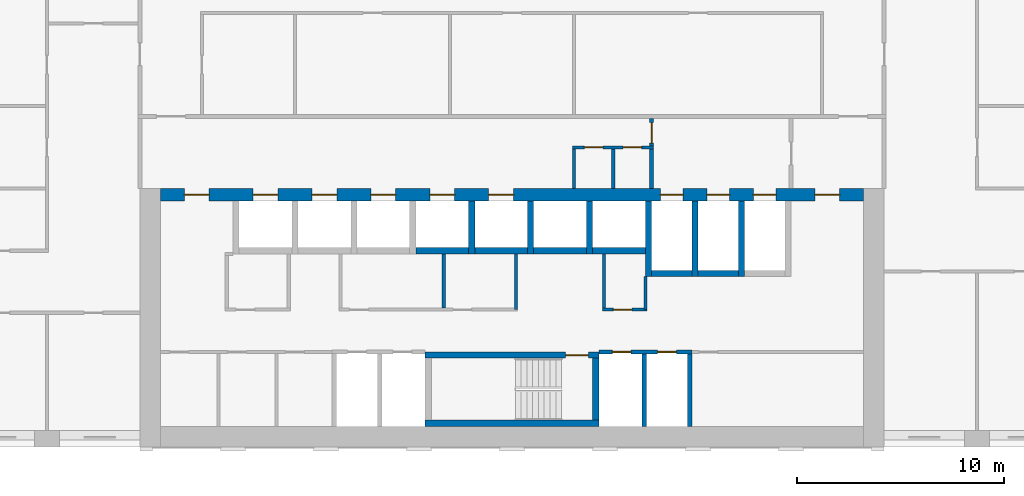
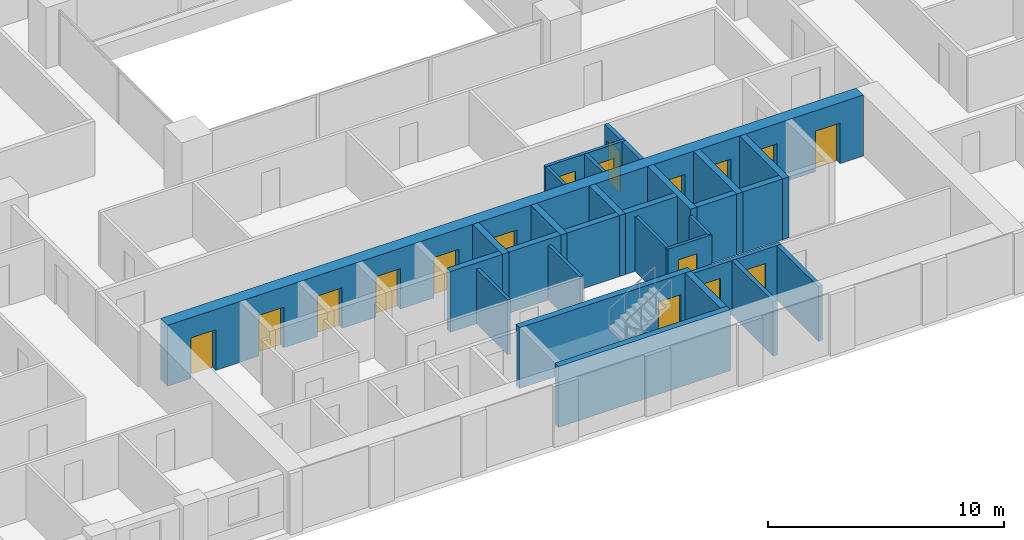
# One storey, part 11 of 20: 29 walls, 17 doors, 17 openings.
"""IFC4 building model written with IfcOpenShell, lengths in metres."""

from ifc_helpers import new_model, si_unit, direction, frame, frame_2d, origin, place, context, subcontext, project, spatial, rectangle, extrude, material, layer, layer_set, type_object, element, fill, save


model = new_model("IFC4")

# Units and contexts
model_context = context("Model", 3, precision=1e-05, world=origin(), true_north=direction((0.0, 1.0)))
body_context = subcontext(model_context, "Body", "Model", "MODEL_VIEW")
ifc_project = project(units=[si_unit("LENGTHUNIT", "METRE"), si_unit("AREAUNIT", "SQUARE_METRE"), si_unit("VOLUMEUNIT", "CUBIC_METRE"), si_unit("PLANEANGLEUNIT", "RADIAN"), si_unit("MASSUNIT", "GRAM", prefix="KILO")], contexts=[model_context])

# Site, building, storey
site_placement = place(None, origin())
site = spatial("IfcSite", under=ifc_project, at=site_placement, CompositionType="ELEMENT")
building_placement = place(site_placement, origin())
building = spatial("IfcBuilding", under=site, at=building_placement, Name="Brigalow Station Residences", CompositionType="ELEMENT")
storey_placement = place(building_placement, frame((0.0, 0.0, 57.300048828125)))
storey = spatial("IfcBuildingStorey", under=building, at=storey_placement, Name="L16", CompositionType="ELEMENT", Elevation=57.300048828125)

# Walls
ifc_material_1 = material(Name="Concrete C80", Category="concrete")
ifc_layer_1 = layer(ifc_material_1, 0.300048828125)
ifc_layer_set_1 = layer_set([ifc_layer_1], Name="CORE SHEAR WALL 300 C80")
wall_type_1 = type_object("IfcWallType", Name="CORE SHEAR WALL 300 C80", PredefinedType="SHEAR", material=ifc_layer_set_1)
wall_1_placement = place(storey_placement, frame((31.35009765625, 9.5, 0.0), z_axis=(0.0, 0.0, 1.0), x_axis=(1.0, 0.0, 0.0)))
element("IfcWall", 1, at=wall_1_placement, inside=storey, type_object=wall_type_1, Name="CORE WALL SH-P4-S L16", PredefinedType="SHEAR", context=body_context, shape_type="SweptSolid", body=[
    extrude(rectangle(XDim=2.5498046875, YDim=0.300048828125, at=frame_2d((1.27490234375, 0.0))), origin(), (0.0, 0.0, 1.0), 3.14990234375),
])
wall_2_placement = place(storey_placement, frame((34.199951171875, 9.5, 0.0), z_axis=(0.0, 0.0, 1.0), x_axis=(1.0, 0.0, 0.0)))
element("IfcWall", 2, at=wall_2_placement, inside=storey, type_object=wall_type_1, Name="CORE WALL SH-P5-S L16", PredefinedType="SHEAR", context=body_context, shape_type="SweptSolid", body=[
    extrude(rectangle(XDim=2.550048828125, YDim=0.300048828125, at=frame_2d((1.27490234375, 0.0))), origin(), (0.0, 0.0, 1.0), 3.14990234375),
])
wall_3_placement = place(storey_placement, frame((34.050048828125, 9.35009765625, 0.0), z_axis=(0.0, 0.0, 1.0), x_axis=(0.0, 1.0, 0.0)))
element("IfcWall", 3, at=wall_3_placement, inside=storey, type_object=wall_type_1, Name="CORE WALL SH-P5-W L16", PredefinedType="SHEAR", context=body_context, shape_type="SweptSolid", body=[
    extrude(rectangle(XDim=2.5498046875, YDim=0.300048828125, at=frame_2d((1.27490234375, 0.0))), origin(), (0.0, 0.0, 1.0), 3.14990234375),
])
wall_4_placement = place(storey_placement, frame((37.050048828125, 9.5, 0.0), z_axis=(0.0, 0.0, 1.0), x_axis=(1.0, 0.0, 0.0)))
element("IfcWall", 4, at=wall_4_placement, inside=storey, type_object=wall_type_1, Name="CORE WALL SH-X1-S L16", PredefinedType="SHEAR", context=body_context, shape_type="SweptSolid", body=[
    extrude(rectangle(XDim=2.550048828125, YDim=0.300048828125, at=frame_2d((1.27490234375, 0.0))), origin(), (0.0, 0.0, 1.0), 3.14990234375),
])
wall_5_placement = place(storey_placement, frame((36.89990234375, 9.35009765625, 0.0), z_axis=(0.0, 0.0, 1.0), x_axis=(0.0, 1.0, 0.0)))
element("IfcWall", 5, at=wall_5_placement, inside=storey, type_object=wall_type_1, Name="CORE WALL SH-X1-W L16", PredefinedType="SHEAR", context=body_context, shape_type="SweptSolid", body=[
    extrude(rectangle(XDim=2.5498046875, YDim=0.300048828125, at=frame_2d((1.27490234375, 0.0))), origin(), (0.0, 0.0, 1.0), 3.14990234375),
])
wall_6_placement = place(storey_placement, frame((39.89990234375, 9.5, 0.0), z_axis=(0.0, 0.0, 1.0), x_axis=(1.0, 0.0, 0.0)))
element("IfcWall", 6, at=wall_6_placement, inside=storey, type_object=wall_type_1, Name="CORE WALL SH-X2-S L16", PredefinedType="SHEAR", context=body_context, shape_type="SweptSolid", body=[
    extrude(rectangle(XDim=2.550048828125, YDim=0.300048828125, at=frame_2d((1.27490234375, 0.0))), origin(), (0.0, 0.0, 1.0), 3.14990234375),
])
wall_7_placement = place(storey_placement, frame((39.75, 9.35009765625, 0.0), z_axis=(0.0, 0.0, 1.0), x_axis=(0.0, 1.0, 0.0)))
element("IfcWall", 7, at=wall_7_placement, inside=storey, type_object=wall_type_1, Name="CORE WALL SH-X2-W L16", PredefinedType="SHEAR", context=body_context, shape_type="SweptSolid", body=[
    extrude(rectangle(XDim=2.5498046875, YDim=0.300048828125, at=frame_2d((1.27490234375, 0.0))), origin(), (0.0, 0.0, 1.0), 3.14990234375),
])
wall_8_placement = place(storey_placement, frame((42.75, 8.39990234375, 0.0), z_axis=(0.0, 0.0, 1.0), x_axis=(1.0, 0.0, 0.0)))
element("IfcWall", 8, at=wall_8_placement, inside=storey, type_object=wall_type_1, Name="CORE WALL SH-FF1-S L16", PredefinedType="SHEAR", context=body_context, shape_type="SweptSolid", body=[
    extrude(rectangle(XDim=1.949951171875, YDim=0.300048828125, at=frame_2d((0.97509765625, 0.0))), origin(), (0.0, 0.0, 1.0), 3.14990234375),
])
wall_9_placement = place(storey_placement, frame((42.60009765625, 8.25, 0.0), z_axis=(0.0, 0.0, 1.0), x_axis=(0.0, 1.0, 0.0)))
element("IfcWall", 9, at=wall_9_placement, inside=storey, type_object=wall_type_1, Name="CORE WALL SH-FF1-W L16", PredefinedType="SHEAR", context=body_context, shape_type="SweptSolid", body=[
    extrude(rectangle(XDim=3.64990234375, YDim=0.300048828125, at=frame_2d((1.824951171875, 0.0))), origin(), (0.0, 0.0, 1.0), 3.14990234375),
])
wall_10_placement = place(storey_placement, frame((45.0, 8.39990234375, 0.0), z_axis=(0.0, 0.0, 1.0), x_axis=(1.0, 0.0, 0.0)))
element("IfcWall", 10, at=wall_10_placement, inside=storey, type_object=wall_type_1, Name="CORE WALL SH-FF2-S L16", PredefinedType="SHEAR", context=body_context, shape_type="SweptSolid", body=[
    extrude(rectangle(XDim=1.949951171875, YDim=0.300048828125, at=frame_2d((0.97509765625, 0.0))), origin(), (0.0, 0.0, 1.0), 3.14990234375),
])
for number, where, z_axis, x_axis, name in (
    (11, (44.85009765625, 8.25, 0.0), (0.0, 0.0, 1.0), (0.0, 1.0, 0.0), "CORE WALL SH-FF2-W L16"),
    (12, (47.10009765625, 8.25, 0.0), (0.0, 0.0, 1.0), (0.0, 1.0, 0.0), "CORE WALL SH-SL1-W L16"),
):
    element("IfcWall", number, at=place(storey_placement, frame(where, z_axis=z_axis, x_axis=x_axis)), inside=storey, type_object=wall_type_1, Name=name, PredefinedType="SHEAR", context=body_context, shape_type="SweptSolid", body=[
        extrude(rectangle(XDim=3.64990234375, YDim=0.300048828125, at=frame_2d((1.824951171875, 0.0))), origin(), (0.0, 0.0, 1.0), 3.14990234375),
    ])
wall_11_placement = place(storey_placement, frame((31.800048828125, 1.14990234375, 0.0), z_axis=(0.0, 0.0, 1.0), x_axis=(1.0, 0.0, 0.0)))
element("IfcWall", 13, at=wall_11_placement, inside=storey, type_object=wall_type_1, Name="CORE WALL ST-S2-S L16", PredefinedType="SHEAR", context=body_context, shape_type="SweptSolid", body=[
    extrude(rectangle(XDim=8.39990234375, YDim=0.300048828125, at=frame_2d((4.199951171875, 0.0))), origin(), (0.0, 0.0, 1.0), 3.14990234375),
])

# Wall, opening, door
wall_12_placement = place(storey_placement, frame((31.800048828125, 4.449951171875, 0.0), z_axis=(0.0, 0.0, 1.0), x_axis=(1.0, 0.0, 0.0)))
wall_12 = element("IfcWall", 14, at=wall_12_placement, inside=storey, type_object=wall_type_1, Name="CORE WALL ST-S2-N L16", PredefinedType="SHEAR", context=body_context, shape_type="SweptSolid", body=[
    extrude(rectangle(XDim=8.39990234375, YDim=0.300048828125, at=frame_2d((4.199951171875, 0.0))), origin(), (0.0, 0.0, 1.0), 3.14990234375),
])
opening_1_placement = place(wall_12_placement, frame((6.800048828125, 0.0, 0.0)))
opening_1 = element("IfcOpeningElement", 15, at=opening_1_placement, cuts=wall_12, Name="Opening D-5001", PredefinedType="OPENING", context=body_context, shape_type="SweptSolid", body=[
    extrude(rectangle(XDim=1.10009765625, YDim=2.10009765625, at=frame_2d((0.550048828125, 1.050048828125))), frame((0.0, 0.16015625, 0.0), z_axis=(0.0, -1.0, 0.0), x_axis=(1.0, 0.0, 0.0)), (0.0, 0.0, 1.0), 0.320068359375),
])
ifc_material_2 = material(Name="Steel fire door leaf in steel frame", Category="steel")
door_type_1 = type_object("IfcDoorType", Name="STAIR DOOR 1100 x 2100 FD60S", OperationType="SINGLE_SWING_LEFT", PredefinedType="DOOR", material=ifc_material_2)
door_1_placement = place(opening_1_placement, frame((1.10009765625, 0.0, 0.0), z_axis=(0.0, 0.0, 1.0), x_axis=(-1.0, 0.0, 0.0)))
door_1 = element("IfcDoor", 16, at=door_1_placement, inside=storey, type_object=door_type_1, Name="D-5001", OperationType="SINGLE_SWING_LEFT", OverallHeight=2.10009765625, OverallWidth=1.10009765625, PredefinedType="DOOR", context=body_context, shape_type="SweptSolid", body=[
    extrude(rectangle(XDim=1.10009765625, YDim=2.10009765625, at=frame_2d((0.550048828125, 1.050048828125))), frame((0.0, 0.02490234375, 0.0), z_axis=(0.0, -1.0, 0.0), x_axis=(1.0, 0.0, 0.0)), (0.0, 0.0, 1.0), 0.050048828125),
])
fill(opening_1, door_1)

# Wall
wall_13_placement = place(storey_placement, frame((40.050048828125, 1.300048828125, 0.0), z_axis=(0.0, 0.0, 1.0), x_axis=(0.0, 1.0, 0.0)))
element("IfcWall", 17, at=wall_13_placement, inside=storey, type_object=wall_type_1, Name="CORE WALL ST-S2-E L16", PredefinedType="SHEAR", context=body_context, shape_type="SweptSolid", body=[
    extrude(rectangle(XDim=3.0, YDim=0.300048828125, at=frame_2d((1.5, 0.0))), origin(), (0.0, 0.0, 1.0), 3.14990234375),
])

# Wall, openings, doors
ifc_material_3 = material(Name="Concrete C80", Category="concrete")
ifc_layer_2 = layer(ifc_material_3, 0.60009765625)
ifc_layer_set_2 = layer_set([ifc_layer_2], Name="CORE SHEAR WALL 600 C80")
wall_type_2 = type_object("IfcWallType", Name="CORE SHEAR WALL 600 C80", PredefinedType="SHEAR", material=ifc_layer_set_2)
wall_14_placement = place(storey_placement, frame((19.0, 12.199951171875, 0.0), z_axis=(0.0, 0.0, 1.0), x_axis=(1.0, 0.0, 0.0)))
wall_14 = element("IfcWall", 18, at=wall_14_placement, inside=storey, type_object=wall_type_2, Name="CORE WALL OUT-N L16", PredefinedType="SHEAR", context=body_context, shape_type="SweptSolid", body=[
    extrude(rectangle(XDim=34.0, YDim=0.60009765625, at=frame_2d((17.0, 0.0))), origin(), (0.0, 0.0, 1.0), 3.14990234375),
])
opening_2_placement = place(wall_14_placement, frame((4.47509765625, 0.0, 0.0)))
opening_2 = element("IfcOpeningElement", 19, at=opening_2_placement, cuts=wall_14, Name="Opening LD-LA1", PredefinedType="OPENING", context=body_context, shape_type="SweptSolid", body=[
    extrude(rectangle(XDim=1.199951171875, YDim=2.10009765625, at=frame_2d((0.60009765625, 1.050048828125))), frame((0.0, 0.31005859375, 0.0), z_axis=(0.0, -1.0, 0.0), x_axis=(1.0, 0.0, 0.0)), (0.0, 0.0, 1.0), 0.6201171875),
])
opening_3_placement = place(wall_14_placement, frame((7.324951171875, 0.0, 0.0)))
opening_3 = element("IfcOpeningElement", 20, at=opening_3_placement, cuts=wall_14, Name="Opening LD-LA2", PredefinedType="OPENING", context=body_context, shape_type="SweptSolid", body=[
    extrude(rectangle(XDim=1.199951171875, YDim=2.10009765625, at=frame_2d((0.60009765625, 1.050048828125))), frame((0.0, 0.31005859375, 0.0), z_axis=(0.0, -1.0, 0.0), x_axis=(1.0, 0.0, 0.0)), (0.0, 0.0, 1.0), 0.6201171875),
])
opening_4_placement = place(wall_14_placement, frame((10.175048828125, 0.0, 0.0)))
opening_4 = element("IfcOpeningElement", 21, at=opening_4_placement, cuts=wall_14, Name="Opening LD-LA3", PredefinedType="OPENING", context=body_context, shape_type="SweptSolid", body=[
    extrude(rectangle(XDim=1.199951171875, YDim=2.10009765625, at=frame_2d((0.60009765625, 1.050048828125))), frame((0.0, 0.31005859375, 0.0), z_axis=(0.0, -1.0, 0.0), x_axis=(1.0, 0.0, 0.0)), (0.0, 0.0, 1.0), 0.6201171875),
])
opening_5_placement = place(wall_14_placement, frame((13.02490234375, 0.0, 0.0)))
opening_5 = element("IfcOpeningElement", 22, at=opening_5_placement, cuts=wall_14, Name="Opening LD-LA4", PredefinedType="OPENING", context=body_context, shape_type="SweptSolid", body=[
    extrude(rectangle(XDim=1.199951171875, YDim=2.10009765625, at=frame_2d((0.60009765625, 1.050048828125))), frame((0.0, 0.31005859375, 0.0), z_axis=(0.0, -1.0, 0.0), x_axis=(1.0, 0.0, 0.0)), (0.0, 0.0, 1.0), 0.6201171875),
])
opening_6_placement = place(wall_14_placement, frame((15.875, 0.0, 0.0)))
opening_6 = element("IfcOpeningElement", 23, at=opening_6_placement, cuts=wall_14, Name="Opening LD-LA5", PredefinedType="OPENING", context=body_context, shape_type="SweptSolid", body=[
    extrude(rectangle(XDim=1.199951171875, YDim=2.10009765625, at=frame_2d((0.60009765625, 1.050048828125))), frame((0.0, 0.31005859375, 0.0), z_axis=(0.0, -1.0, 0.0), x_axis=(1.0, 0.0, 0.0)), (0.0, 0.0, 1.0), 0.6201171875),
])
opening_7_placement = place(wall_14_placement, frame((24.175048828125, 0.0, 0.0)))
opening_7 = element("IfcOpeningElement", 24, at=opening_7_placement, cuts=wall_14, Name="Opening LD-LF1", PredefinedType="OPENING", context=body_context, shape_type="SweptSolid", body=[
    extrude(rectangle(XDim=1.10009765625, YDim=2.10009765625, at=frame_2d((0.550048828125, 1.050048828125))), frame((0.0, 0.31005859375, 0.0), z_axis=(0.0, -1.0, 0.0), x_axis=(1.0, 0.0, 0.0)), (0.0, 0.0, 1.0), 0.6201171875),
])
opening_8_placement = place(wall_14_placement, frame((26.425048828125, 0.0, 0.0)))
opening_8 = element("IfcOpeningElement", 25, at=opening_8_placement, cuts=wall_14, Name="Opening LD-LF2", PredefinedType="OPENING", context=body_context, shape_type="SweptSolid", body=[
    extrude(rectangle(XDim=1.10009765625, YDim=2.10009765625, at=frame_2d((0.550048828125, 1.050048828125))), frame((0.0, 0.31005859375, 0.0), z_axis=(0.0, -1.0, 0.0), x_axis=(1.0, 0.0, 0.0)), (0.0, 0.0, 1.0), 0.6201171875),
])
opening_9_placement = place(wall_14_placement, frame((28.675048828125, 0.0, 0.0)))
opening_9 = element("IfcOpeningElement", 26, at=opening_9_placement, cuts=wall_14, Name="Opening LD-LG1", PredefinedType="OPENING", context=body_context, shape_type="SweptSolid", body=[
    extrude(rectangle(XDim=1.10009765625, YDim=2.10009765625, at=frame_2d((0.550048828125, 1.050048828125))), frame((0.0, 0.31005859375, 0.0), z_axis=(0.0, -1.0, 0.0), x_axis=(1.0, 0.0, 0.0)), (0.0, 0.0, 1.0), 0.6201171875),
])
opening_10_placement = place(wall_14_placement, frame((1.14990234375, 0.0, 0.0)))
opening_10 = element("IfcOpeningElement", 27, at=opening_10_placement, cuts=wall_14, Name="Opening D-5011", PredefinedType="OPENING", context=body_context, shape_type="SweptSolid", body=[
    extrude(rectangle(XDim=1.199951171875, YDim=2.10009765625, at=frame_2d((0.60009765625, 1.050048828125))), frame((0.0, 0.31005859375, 0.0), z_axis=(0.0, -1.0, 0.0), x_axis=(1.0, 0.0, 0.0)), (0.0, 0.0, 1.0), 0.6201171875),
])
opening_11_placement = place(wall_14_placement, frame((31.64990234375, 0.0, 0.0)))
opening_11 = element("IfcOpeningElement", 28, at=opening_11_placement, cuts=wall_14, Name="Opening D-5012", PredefinedType="OPENING", context=body_context, shape_type="SweptSolid", body=[
    extrude(rectangle(XDim=1.199951171875, YDim=2.10009765625, at=frame_2d((0.60009765625, 1.050048828125))), frame((0.0, 0.31005859375, 0.0), z_axis=(0.0, -1.0, 0.0), x_axis=(1.0, 0.0, 0.0)), (0.0, 0.0, 1.0), 0.6201171875),
])
ifc_material_4 = material(Name="Steel fire door leaf in steel frame", Category="steel")
door_type_2 = type_object("IfcDoorType", Name="CORE CORRIDOR DOOR 1200 x 2100 FD60S", OperationType="SINGLE_SWING_LEFT", PredefinedType="DOOR", material=ifc_material_4)
door_2_placement = place(opening_10_placement, frame((1.199951171875, 0.0, 0.0), z_axis=(0.0, 0.0, 1.0), x_axis=(-1.0, 0.0, 0.0)))
door_2 = element("IfcDoor", 29, at=door_2_placement, inside=storey, type_object=door_type_2, Name="D-5011", OperationType="SINGLE_SWING_LEFT", OverallHeight=2.10009765625, OverallWidth=1.199951171875, PredefinedType="DOOR", context=body_context, shape_type="SweptSolid", body=[
    extrude(rectangle(XDim=1.199951171875, YDim=2.10009765625, at=frame_2d((0.60009765625, 1.050048828125))), frame((0.0, 0.02490234375, 0.0), z_axis=(0.0, -1.0, 0.0), x_axis=(1.0, 0.0, 0.0)), (0.0, 0.0, 1.0), 0.050048828125),
])
fill(opening_10, door_2)
door_3_placement = place(opening_11_placement, frame((1.199951171875, 0.0, 0.0), z_axis=(0.0, 0.0, 1.0), x_axis=(-1.0, 0.0, 0.0)))
door_3 = element("IfcDoor", 30, at=door_3_placement, inside=storey, type_object=door_type_2, Name="D-5012", OperationType="SINGLE_SWING_RIGHT", OverallHeight=2.10009765625, OverallWidth=1.199951171875, PredefinedType="DOOR", context=body_context, shape_type="SweptSolid", body=[
    extrude(rectangle(XDim=1.199951171875, YDim=2.10009765625, at=frame_2d((0.60009765625, 1.050048828125))), frame((0.0, 0.02490234375, 0.0), z_axis=(0.0, -1.0, 0.0), x_axis=(1.0, 0.0, 0.0)), (0.0, 0.0, 1.0), 0.050048828125),
])
fill(opening_11, door_3)
ifc_material_5 = material(Name="Stainless steel sliding door leaves", Category="steel")
door_type_3 = type_object("IfcDoorType", Name="LIFT LANDING DOOR 1100 x 2100", OperationType="DOUBLE_DOOR_SLIDING", PredefinedType="DOOR", material=ifc_material_5)
door_4_placement = place(opening_7_placement, origin())
door_4 = element("IfcDoor", 31, at=door_4_placement, inside=storey, type_object=door_type_3, Name="LANDING DOOR LF1", OperationType="DOUBLE_DOOR_SLIDING", OverallHeight=2.10009765625, OverallWidth=1.10009765625, PredefinedType="DOOR", context=body_context, shape_type="SweptSolid", body=[
    extrude(rectangle(XDim=1.10009765625, YDim=2.10009765625, at=frame_2d((0.550048828125, 1.050048828125))), frame((0.0, 0.02490234375, 0.0), z_axis=(0.0, -1.0, 0.0), x_axis=(1.0, 0.0, 0.0)), (0.0, 0.0, 1.0), 0.050048828125),
])
fill(opening_7, door_4)
door_5_placement = place(opening_8_placement, origin())
door_5 = element("IfcDoor", 32, at=door_5_placement, inside=storey, type_object=door_type_3, Name="LANDING DOOR LF2", OperationType="DOUBLE_DOOR_SLIDING", OverallHeight=2.10009765625, OverallWidth=1.10009765625, PredefinedType="DOOR", context=body_context, shape_type="SweptSolid", body=[
    extrude(rectangle(XDim=1.10009765625, YDim=2.10009765625, at=frame_2d((0.550048828125, 1.050048828125))), frame((0.0, 0.02490234375, 0.0), z_axis=(0.0, -1.0, 0.0), x_axis=(1.0, 0.0, 0.0)), (0.0, 0.0, 1.0), 0.050048828125),
])
fill(opening_8, door_5)
door_6_placement = place(opening_9_placement, origin())
door_6 = element("IfcDoor", 33, at=door_6_placement, inside=storey, type_object=door_type_3, Name="LANDING DOOR LG1", OperationType="DOUBLE_DOOR_SLIDING", OverallHeight=2.10009765625, OverallWidth=1.10009765625, PredefinedType="DOOR", context=body_context, shape_type="SweptSolid", body=[
    extrude(rectangle(XDim=1.10009765625, YDim=2.10009765625, at=frame_2d((0.550048828125, 1.050048828125))), frame((0.0, 0.02490234375, 0.0), z_axis=(0.0, -1.0, 0.0), x_axis=(1.0, 0.0, 0.0)), (0.0, 0.0, 1.0), 0.050048828125),
])
fill(opening_9, door_6)
ifc_material_6 = material(Name="Stainless steel sliding door leaves", Category="steel")
door_type_4 = type_object("IfcDoorType", Name="LIFT LANDING DOOR 1200 x 2100", OperationType="DOUBLE_DOOR_SLIDING", PredefinedType="DOOR", material=ifc_material_6)
door_7_placement = place(opening_2_placement, origin())
door_7 = element("IfcDoor", 34, at=door_7_placement, inside=storey, type_object=door_type_4, Name="LANDING DOOR LA1", OperationType="DOUBLE_DOOR_SLIDING", OverallHeight=2.10009765625, OverallWidth=1.199951171875, PredefinedType="DOOR", context=body_context, shape_type="SweptSolid", body=[
    extrude(rectangle(XDim=1.199951171875, YDim=2.10009765625, at=frame_2d((0.60009765625, 1.050048828125))), frame((0.0, 0.02490234375, 0.0), z_axis=(0.0, -1.0, 0.0), x_axis=(1.0, 0.0, 0.0)), (0.0, 0.0, 1.0), 0.050048828125),
])
fill(opening_2, door_7)
door_8_placement = place(opening_3_placement, origin())
door_8 = element("IfcDoor", 35, at=door_8_placement, inside=storey, type_object=door_type_4, Name="LANDING DOOR LA2", OperationType="DOUBLE_DOOR_SLIDING", OverallHeight=2.10009765625, OverallWidth=1.199951171875, PredefinedType="DOOR", context=body_context, shape_type="SweptSolid", body=[
    extrude(rectangle(XDim=1.199951171875, YDim=2.10009765625, at=frame_2d((0.60009765625, 1.050048828125))), frame((0.0, 0.02490234375, 0.0), z_axis=(0.0, -1.0, 0.0), x_axis=(1.0, 0.0, 0.0)), (0.0, 0.0, 1.0), 0.050048828125),
])
fill(opening_3, door_8)
door_9_placement = place(opening_4_placement, origin())
door_9 = element("IfcDoor", 36, at=door_9_placement, inside=storey, type_object=door_type_4, Name="LANDING DOOR LA3", OperationType="DOUBLE_DOOR_SLIDING", OverallHeight=2.10009765625, OverallWidth=1.199951171875, PredefinedType="DOOR", context=body_context, shape_type="SweptSolid", body=[
    extrude(rectangle(XDim=1.199951171875, YDim=2.10009765625, at=frame_2d((0.60009765625, 1.050048828125))), frame((0.0, 0.02490234375, 0.0), z_axis=(0.0, -1.0, 0.0), x_axis=(1.0, 0.0, 0.0)), (0.0, 0.0, 1.0), 0.050048828125),
])
fill(opening_4, door_9)
door_10_placement = place(opening_5_placement, origin())
door_10 = element("IfcDoor", 37, at=door_10_placement, inside=storey, type_object=door_type_4, Name="LANDING DOOR LA4", OperationType="DOUBLE_DOOR_SLIDING", OverallHeight=2.10009765625, OverallWidth=1.199951171875, PredefinedType="DOOR", context=body_context, shape_type="SweptSolid", body=[
    extrude(rectangle(XDim=1.199951171875, YDim=2.10009765625, at=frame_2d((0.60009765625, 1.050048828125))), frame((0.0, 0.02490234375, 0.0), z_axis=(0.0, -1.0, 0.0), x_axis=(1.0, 0.0, 0.0)), (0.0, 0.0, 1.0), 0.050048828125),
])
fill(opening_5, door_10)
door_11_placement = place(opening_6_placement, origin())
door_11 = element("IfcDoor", 38, at=door_11_placement, inside=storey, type_object=door_type_4, Name="LANDING DOOR LA5", OperationType="DOUBLE_DOOR_SLIDING", OverallHeight=2.10009765625, OverallWidth=1.199951171875, PredefinedType="DOOR", context=body_context, shape_type="SweptSolid", body=[
    extrude(rectangle(XDim=1.199951171875, YDim=2.10009765625, at=frame_2d((0.60009765625, 1.050048828125))), frame((0.0, 0.02490234375, 0.0), z_axis=(0.0, -1.0, 0.0), x_axis=(1.0, 0.0, 0.0)), (0.0, 0.0, 1.0), 0.050048828125),
])
fill(opening_6, door_11)

ifc_material_7 = material(Name="Concrete blockwork", Category="masonry")
ifc_layer_3 = layer(ifc_material_7, 0.199951171875)
ifc_layer_set_3 = layer_set([ifc_layer_3], Name="FIRE RATED CORE PARTITION 200")
wall_type_3 = type_object("IfcWallType", Name="FIRE RATED CORE PARTITION 200", PredefinedType="PARTITIONING", material=ifc_layer_set_3)
wall_15_placement = place(storey_placement, frame((40.199951171875, 4.60009765625, 0.0), z_axis=(0.0, 0.0, 1.0), x_axis=(1.0, 0.0, 0.0)))
wall_15 = element("IfcWall", 39, at=wall_15_placement, inside=storey, type_object=wall_type_3, Name="PW-5018", PredefinedType="PARTITIONING", context=body_context, shape_type="SweptSolid", body=[
    extrude(rectangle(XDim=4.5, YDim=0.199951171875, at=frame_2d((2.25, 0.0))), origin(), (0.0, 0.0, 1.0), 2.829833984375),
])
opening_12_placement = place(wall_15_placement, frame((0.64990234375, 0.0, 0.0)))
opening_12 = element("IfcOpeningElement", 40, at=opening_12_placement, cuts=wall_15, Name="Opening D-5009", PredefinedType="OPENING", context=body_context, shape_type="SweptSolid", body=[
    extrude(rectangle(XDim=0.89990234375, YDim=2.10009765625, at=frame_2d((0.449951171875, 1.050048828125))), frame((0.0, 0.10986328125, 0.0), z_axis=(0.0, -1.0, 0.0), x_axis=(1.0, 0.0, 0.0)), (0.0, 0.0, 1.0), 0.219970703125),
])
opening_13_placement = place(wall_15_placement, frame((2.85009765625, 0.0, 0.0)))
opening_13 = element("IfcOpeningElement", 41, at=opening_13_placement, cuts=wall_15, Name="Opening D-5010", PredefinedType="OPENING", context=body_context, shape_type="SweptSolid", body=[
    extrude(rectangle(XDim=0.89990234375, YDim=2.10009765625, at=frame_2d((0.449951171875, 1.050048828125))), frame((0.0, 0.10986328125, 0.0), z_axis=(0.0, -1.0, 0.0), x_axis=(1.0, 0.0, 0.0)), (0.0, 0.0, 1.0), 0.219970703125),
])
ifc_material_8 = material(Name="Steel fire door leaf in steel frame", Category="steel")
door_type_5 = type_object("IfcDoorType", Name="RISER ACCESS DOOR 900 x 2100 FD120", OperationType="SINGLE_SWING_LEFT", PredefinedType="DOOR", material=ifc_material_8)
door_12_placement = place(opening_12_placement, frame((0.89990234375, 0.0, 0.0), z_axis=(0.0, 0.0, 1.0), x_axis=(-1.0, 0.0, 0.0)))
door_12 = element("IfcDoor", 42, at=door_12_placement, inside=storey, type_object=door_type_5, Name="D-5009", OperationType="SINGLE_SWING_LEFT", OverallHeight=2.10009765625, OverallWidth=0.89990234375, PredefinedType="DOOR", context=body_context, shape_type="SweptSolid", body=[
    extrude(rectangle(XDim=0.89990234375, YDim=2.10009765625, at=frame_2d((0.449951171875, 1.050048828125))), frame((0.0, 0.02490234375, 0.0), z_axis=(0.0, -1.0, 0.0), x_axis=(1.0, 0.0, 0.0)), (0.0, 0.0, 1.0), 0.050048828125),
])
fill(opening_12, door_12)
door_13_placement = place(opening_13_placement, frame((0.89990234375, 0.0, 0.0), z_axis=(0.0, 0.0, 1.0), x_axis=(-1.0, 0.0, 0.0)))
door_13 = element("IfcDoor", 43, at=door_13_placement, inside=storey, type_object=door_type_5, Name="D-5010", OperationType="SINGLE_SWING_LEFT", OverallHeight=2.10009765625, OverallWidth=0.89990234375, PredefinedType="DOOR", context=body_context, shape_type="SweptSolid", body=[
    extrude(rectangle(XDim=0.89990234375, YDim=2.10009765625, at=frame_2d((0.449951171875, 1.050048828125))), frame((0.0, 0.02490234375, 0.0), z_axis=(0.0, -1.0, 0.0), x_axis=(1.0, 0.0, 0.0)), (0.0, 0.0, 1.0), 0.050048828125),
])
fill(opening_13, door_13)

# Walls
for number, where, z_axis, x_axis, name in (
    (44, (42.39990234375, 1.0, 0.0), (0.0, 0.0, 1.0), (0.0, 1.0, 0.0), "PW-5007"),
    (45, (44.60009765625, 1.0, 0.0), (0.0, 0.0, 1.0), (0.0, 1.0, 0.0), "PW-5008"),
):
    element("IfcWall", number, at=place(storey_placement, frame(where, z_axis=z_axis, x_axis=x_axis)), inside=storey, type_object=wall_type_3, Name=name, PredefinedType="PARTITIONING", context=body_context, shape_type="SweptSolid", body=[
        extrude(rectangle(XDim=3.5, YDim=0.199951171875, at=frame_2d((1.75, 0.0))), origin(), (0.0, 0.0, 1.0), 2.829833984375),
    ])
wall_16_placement = place(storey_placement, frame((42.75, 12.5, 0.0), z_axis=(0.0, 0.0, 1.0), x_axis=(0.0, 1.0, 0.0)))
element("IfcWall", 46, at=wall_16_placement, inside=storey, type_object=wall_type_3, Name="PW-5046", PredefinedType="PARTITIONING", context=body_context, shape_type="SweptSolid", body=[
    extrude(rectangle(XDim=1.925048828125, YDim=0.199951171875, at=frame_2d((0.96240234375, 0.0))), origin(), (0.0, 0.0, 1.0), 2.829833984375),
])

# Wall, opening, door
wall_17_placement = place(storey_placement, frame((42.75, 14.574951171875, 0.0), z_axis=(0.0, 0.0, 1.0), x_axis=(0.0, 1.0, 0.0)))
wall_17 = element("IfcWall", 47, at=wall_17_placement, inside=storey, type_object=wall_type_3, Name="PW-5047", PredefinedType="PARTITIONING", context=body_context, shape_type="SweptSolid", body=[
    extrude(rectangle(XDim=1.324951171875, YDim=0.199951171875, at=frame_2d((0.66259765625, 0.0))), origin(), (0.0, 0.0, 1.0), 2.829833984375),
])
opening_14_placement = place(wall_17_placement, frame((0.125, 0.0, 0.0)))
opening_14 = element("IfcOpeningElement", 48, at=opening_14_placement, cuts=wall_17, Name="Opening D-5013", PredefinedType="OPENING", context=body_context, shape_type="SweptSolid", body=[
    extrude(rectangle(XDim=1.0, YDim=2.10009765625, at=frame_2d((0.5, 1.050048828125))), frame((0.0, 0.10986328125, 0.0), z_axis=(0.0, -1.0, 0.0), x_axis=(1.0, 0.0, 0.0)), (0.0, 0.0, 1.0), 0.219970703125),
])
ifc_material_9 = material(Name="Steel fire door leaf in steel frame", Category="steel")
door_type_6 = type_object("IfcDoorType", Name="LOBBY DOOR 1000 x 2100 FD60S", OperationType="SINGLE_SWING_LEFT", PredefinedType="DOOR", material=ifc_material_9)
door_14_placement = place(opening_14_placement, origin())
door_14 = element("IfcDoor", 49, at=door_14_placement, inside=storey, type_object=door_type_6, Name="D-5013", OperationType="SINGLE_SWING_LEFT", OverallHeight=2.10009765625, OverallWidth=1.0, PredefinedType="DOOR", context=body_context, shape_type="SweptSolid", body=[
    extrude(rectangle(XDim=1.0, YDim=2.10009765625, at=frame_2d((0.5, 1.050048828125))), frame((0.0, 0.02490234375, 0.0), z_axis=(0.0, -1.0, 0.0), x_axis=(1.0, 0.0, 0.0)), (0.0, 0.0, 1.0), 0.050048828125),
])
fill(opening_14, door_14)

ifc_material_10 = material(Name="Plasterboard on steel studs", Category="steel")
ifc_layer_4 = layer(ifc_material_10, 0.14990234375)
ifc_layer_set_4 = layer_set([ifc_layer_4], Name="SERVICE ROOM PARTITION 150")
wall_type_4 = type_object("IfcWallType", Name="SERVICE ROOM PARTITION 150", PredefinedType="PARTITIONING", material=ifc_layer_set_4)
wall_18_placement = place(storey_placement, frame((40.375, 6.64990234375, 0.0), z_axis=(0.0, 0.0, 1.0), x_axis=(1.0, 0.0, 0.0)))
wall_18 = element("IfcWall", 50, at=wall_18_placement, inside=storey, type_object=wall_type_4, Name="PW-5128", PredefinedType="PARTITIONING", context=body_context, shape_type="SweptSolid", body=[
    extrude(rectangle(XDim=2.14990234375, YDim=0.14990234375, at=frame_2d((1.074951171875, 0.0))), origin(), (0.0, 0.0, 1.0), 2.829833984375),
])
opening_15_placement = place(wall_18_placement, frame((0.52490234375, 0.0, 0.0)))
opening_15 = element("IfcOpeningElement", 51, at=opening_15_placement, cuts=wall_18, Name="Opening D-5034", PredefinedType="OPENING", context=body_context, shape_type="SweptSolid", body=[
    extrude(rectangle(XDim=0.89990234375, YDim=2.10009765625, at=frame_2d((0.449951171875, 1.050048828125))), frame((0.0, 0.0849609375, 0.0), z_axis=(0.0, -1.0, 0.0), x_axis=(1.0, 0.0, 0.0)), (0.0, 0.0, 1.0), 0.169921875),
])
ifc_material_11 = material(Name="Steel door leaf in steel frame", Category="steel")
door_type_7 = type_object("IfcDoorType", Name="SERVICE ROOM DOOR 900 x 2100 FD60", OperationType="SINGLE_SWING_LEFT", PredefinedType="DOOR", material=ifc_material_11)
door_15_placement = place(opening_15_placement, origin())
door_15 = element("IfcDoor", 52, at=door_15_placement, inside=storey, type_object=door_type_7, Name="D-5034", OperationType="SINGLE_SWING_LEFT", OverallHeight=2.10009765625, OverallWidth=0.89990234375, PredefinedType="DOOR", context=body_context, shape_type="SweptSolid", body=[
    extrude(rectangle(XDim=0.89990234375, YDim=2.10009765625, at=frame_2d((0.449951171875, 1.050048828125))), frame((0.0, 0.02490234375, 0.0), z_axis=(0.0, -1.0, 0.0), x_axis=(1.0, 0.0, 0.0)), (0.0, 0.0, 1.0), 0.050048828125),
])
fill(opening_15, door_15)

# Wall, openings, doors
wall_19_placement = place(storey_placement, frame((38.925048828125, 14.5, 0.0), z_axis=(0.0, 0.0, 1.0), x_axis=(1.0, 0.0, 0.0)))
wall_19 = element("IfcWall", 53, at=wall_19_placement, inside=storey, type_object=wall_type_4, Name="PW-5129", PredefinedType="PARTITIONING", context=body_context, shape_type="SweptSolid", body=[
    extrude(rectangle(XDim=3.925048828125, YDim=0.14990234375, at=frame_2d((1.96240234375, 0.0))), origin(), (0.0, 0.0, 1.0), 2.829833984375),
])
opening_16_placement = place(wall_19_placement, frame((0.574951171875, 0.0, 0.0)))
opening_16 = element("IfcOpeningElement", 54, at=opening_16_placement, cuts=wall_19, Name="Opening D-5077", PredefinedType="OPENING", context=body_context, shape_type="SweptSolid", body=[
    extrude(rectangle(XDim=0.89990234375, YDim=2.10009765625, at=frame_2d((0.449951171875, 1.050048828125))), frame((0.0, 0.0849609375, 0.0), z_axis=(0.0, -1.0, 0.0), x_axis=(1.0, 0.0, 0.0)), (0.0, 0.0, 1.0), 0.169921875),
])
opening_17_placement = place(wall_19_placement, frame((2.449951171875, 0.0, 0.0)))
opening_17 = element("IfcOpeningElement", 55, at=opening_17_placement, cuts=wall_19, Name="Opening D-5078", PredefinedType="OPENING", context=body_context, shape_type="SweptSolid", body=[
    extrude(rectangle(XDim=0.89990234375, YDim=2.10009765625, at=frame_2d((0.449951171875, 1.050048828125))), frame((0.0, 0.0849609375, 0.0), z_axis=(0.0, -1.0, 0.0), x_axis=(1.0, 0.0, 0.0)), (0.0, 0.0, 1.0), 0.169921875),
])
door_16_placement = place(opening_16_placement, frame((0.89990234375, 0.0, 0.0), z_axis=(0.0, 0.0, 1.0), x_axis=(-1.0, 0.0, 0.0)))
door_16 = element("IfcDoor", 56, at=door_16_placement, inside=storey, type_object=door_type_7, Name="D-5077", OperationType="SINGLE_SWING_RIGHT", OverallHeight=2.10009765625, OverallWidth=0.89990234375, PredefinedType="DOOR", context=body_context, shape_type="SweptSolid", body=[
    extrude(rectangle(XDim=0.89990234375, YDim=2.10009765625, at=frame_2d((0.449951171875, 1.050048828125))), frame((0.0, 0.02490234375, 0.0), z_axis=(0.0, -1.0, 0.0), x_axis=(1.0, 0.0, 0.0)), (0.0, 0.0, 1.0), 0.050048828125),
])
fill(opening_16, door_16)
door_17_placement = place(opening_17_placement, frame((0.89990234375, 0.0, 0.0), z_axis=(0.0, 0.0, 1.0), x_axis=(-1.0, 0.0, 0.0)))
door_17 = element("IfcDoor", 57, at=door_17_placement, inside=storey, type_object=door_type_7, Name="D-5078", OperationType="SINGLE_SWING_LEFT", OverallHeight=2.10009765625, OverallWidth=0.89990234375, PredefinedType="DOOR", context=body_context, shape_type="SweptSolid", body=[
    extrude(rectangle(XDim=0.89990234375, YDim=2.10009765625, at=frame_2d((0.449951171875, 1.050048828125))), frame((0.0, 0.02490234375, 0.0), z_axis=(0.0, -1.0, 0.0), x_axis=(1.0, 0.0, 0.0)), (0.0, 0.0, 1.0), 0.050048828125),
])
fill(opening_17, door_17)

# Walls
wall_20_placement = place(storey_placement, frame((36.199951171875, 6.64990234375, 0.0), z_axis=(0.0, 0.0, 1.0), x_axis=(0.0, 1.0, 0.0)))
element("IfcWall", 58, at=wall_20_placement, inside=storey, type_object=wall_type_4, Name="PW-5145", PredefinedType="PARTITIONING", context=body_context, shape_type="SweptSolid", body=[
    extrude(rectangle(XDim=2.7001953125, YDim=0.14990234375, at=frame_2d((1.35009765625, 0.0))), origin(), (0.0, 0.0, 1.0), 2.829833984375),
])
wall_21_placement = place(storey_placement, frame((42.449951171875, 6.64990234375, 0.0), z_axis=(0.0, 0.0, 1.0), x_axis=(0.0, 1.0, 0.0)))
element("IfcWall", 59, at=wall_21_placement, inside=storey, type_object=wall_type_4, Name="PW-5029", PredefinedType="PARTITIONING", context=body_context, shape_type="SweptSolid", body=[
    extrude(rectangle(XDim=1.60009765625, YDim=0.14990234375, at=frame_2d((0.800048828125, 0.0))), origin(), (0.0, 0.0, 1.0), 2.829833984375),
])
for number, where, z_axis, x_axis, name in (
    (60, (32.699951171875, 6.72509765625, 0.0), (0.0, 0.0, 1.0), (0.0, 1.0, 0.0), "PW-5135"),
    (61, (40.449951171875, 6.72509765625, 0.0), (0.0, 0.0, 1.0), (0.0, 1.0, 0.0), "PW-5044"),
):
    element("IfcWall", number, at=place(storey_placement, frame(where, z_axis=z_axis, x_axis=x_axis)), inside=storey, type_object=wall_type_4, Name=name, PredefinedType="PARTITIONING", context=body_context, shape_type="SweptSolid", body=[
        extrude(rectangle(XDim=2.625, YDim=0.14990234375, at=frame_2d((1.3125, 0.0))), origin(), (0.0, 0.0, 1.0), 2.829833984375),
    ])
for number, where, z_axis, x_axis, name in (
    (62, (39.0, 12.5, 0.0), (0.0, 0.0, 1.0), (0.0, 1.0, 0.0), "PW-5136"),
    (63, (40.89990234375, 12.5, 0.0), (0.0, 0.0, 1.0), (0.0, 1.0, 0.0), "PW-5137"),
):
    element("IfcWall", number, at=place(storey_placement, frame(where, z_axis=z_axis, x_axis=x_axis)), inside=storey, type_object=wall_type_4, Name=name, PredefinedType="PARTITIONING", context=body_context, shape_type="SweptSolid", body=[
        extrude(rectangle(XDim=1.925048828125, YDim=0.14990234375, at=frame_2d((0.96240234375, 0.0))), origin(), (0.0, 0.0, 1.0), 2.829833984375),
    ])

save(model, "model.ifc")
